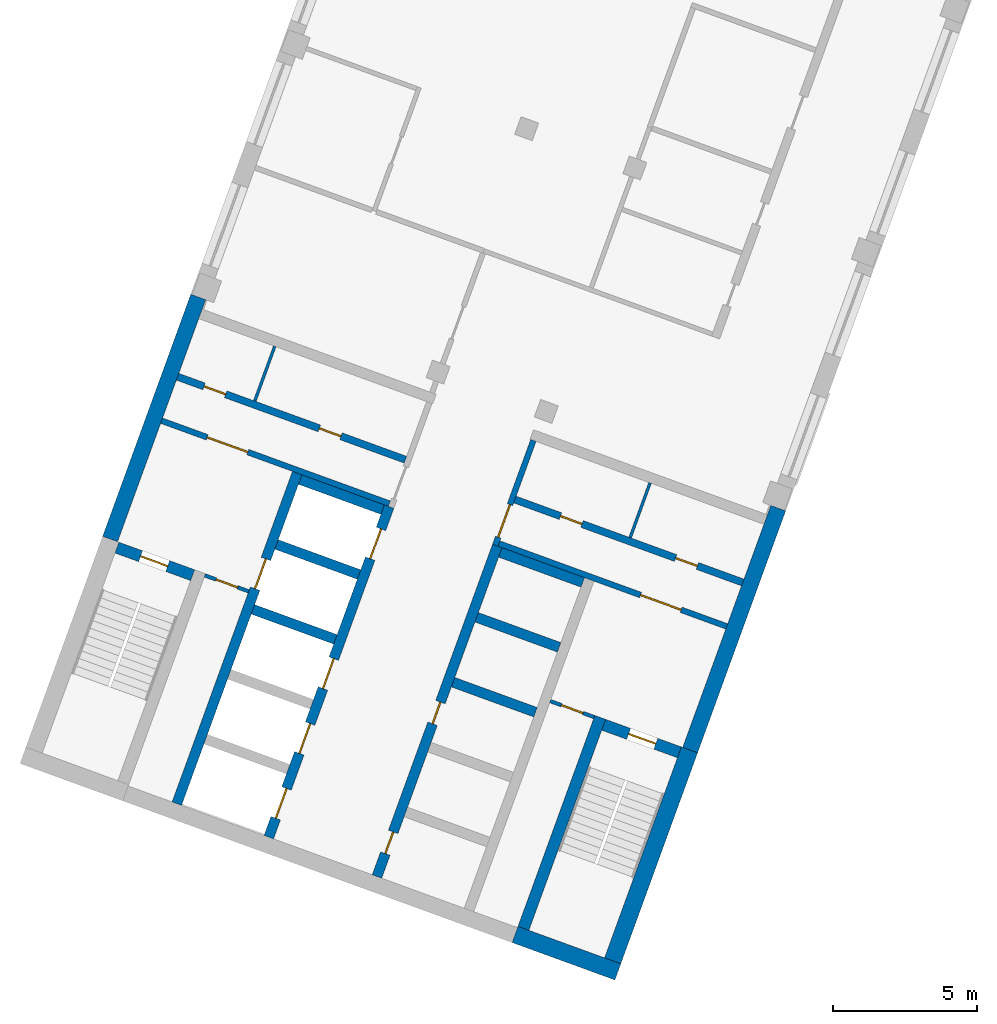
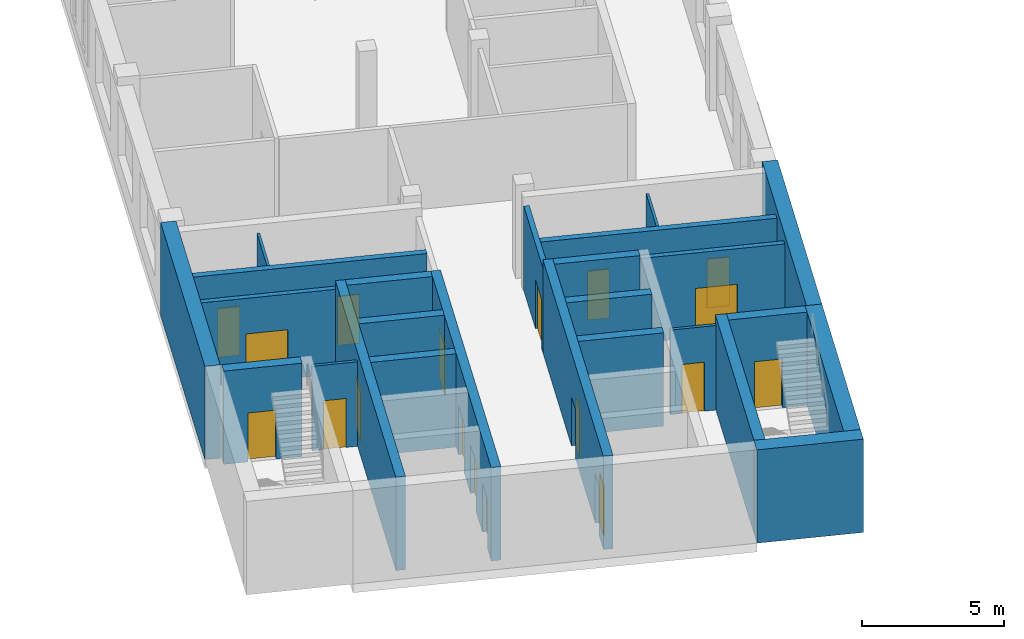
# One storey, part 2 of 9: 25 walls, 18 doors, 18 openings.
"""IFC4 building model written with IfcOpenShell, lengths in metres."""

import ifcopenshell
import ifcopenshell.guid

model = None  # the IFC model being written
_history = None  # IfcOwnerHistory: only IFC2X3 demands one
_inside = {}  # id of a spatial element -> (the spatial element, [elements in it])
_under = {}  # id of a project, library or spatial element -> (it, [spatial elements below it])
_declared = {}  # id of a project -> (the project, [libraries it declares])
_typed = {}  # id of a type object -> (the type object, [elements of that type])
_made_of = {}  # id of a material, layer set ... -> (it, [elements and type objects made of it])


def new_model(schema):
    """Start an empty IFC model of exactly this schema.

    Asked for "IFC4X3", IfcOpenShell would pick the latest addendum, in which some entities
    have other attributes; the version numbers below select the first issue.
    IFC2X3 requires an IfcOwnerHistory on every rooted entity: one is made here for all.
    """
    global model, _history
    if schema == "IFC4X3":
        model = ifcopenshell.file(schema_version=(4, 3, 0, 0))
    else:
        model = ifcopenshell.file(schema=schema)
    _inside.clear()
    _under.clear()
    _declared.clear()
    _typed.clear()
    _made_of.clear()
    _history = None
    if model.schema == "IFC2X3":
        org = make("IfcOrganization", Name="unknown")
        user = make(
            "IfcPersonAndOrganization",
            ThePerson=make("IfcPerson", FamilyName="unknown"),
            TheOrganization=org,
        )
        app = make(
            "IfcApplication",
            ApplicationDeveloper=org,
            Version="unknown",
            ApplicationFullName="unknown",
            ApplicationIdentifier="unknown",
        )
        _history = make(
            "IfcOwnerHistory",
            OwningUser=user,
            OwningApplication=app,
            ChangeAction="ADDED",
            CreationDate=0,
        )
    return model


def make(cls, **values):
    """One entity of the class cls with the attributes given. An attribute that is None is left unset."""
    return model.create_entity(
        cls, **{name: value for name, value in values.items() if value is not None}
    )


def rooted(cls, **values):
    """An entity with a GlobalId (a new one), such as an element, a storey or a relation."""
    return make(cls, GlobalId=ifcopenshell.guid.new(), OwnerHistory=_history, **values)


def si_unit(unit_type, name, prefix=None):
    """IfcSIUnit, for example si_unit("LENGTHUNIT", "METRE", prefix="MILLI")."""
    return make("IfcSIUnit", UnitType=unit_type, Prefix=prefix, Name=name)


def assignment(units):
    """IfcUnitAssignment: the units of a project."""
    return None if units is None else make("IfcUnitAssignment", Units=units)


def point(xyz):
    """IfcCartesianPoint."""
    return None if xyz is None else make("IfcCartesianPoint", Coordinates=xyz)


def direction(xyz):
    """IfcDirection."""
    return None if xyz is None else make("IfcDirection", DirectionRatios=xyz)


def frame(location, z_axis=None, x_axis=None):
    """IfcAxis2Placement3D, a coordinate frame: its origin and axes. An axis left out is left unset."""
    return make(
        "IfcAxis2Placement3D",
        Location=point(location),
        Axis=direction(z_axis),
        RefDirection=direction(x_axis),
    )


def frame_2d(location, x_axis=None):
    """IfcAxis2Placement2D, a coordinate frame in the plane: its origin and x axis."""
    return make(
        "IfcAxis2Placement2D", Location=point(location), RefDirection=direction(x_axis)
    )


def origin():
    """The frame at (0, 0, 0) with its axes left unset."""
    return frame((0.0, 0.0, 0.0))


def place(relative_to, where):
    """IfcLocalPlacement: puts the frame where relative to a parent placement (None: the world)."""
    return make(
        "IfcLocalPlacement", PlacementRelTo=relative_to, RelativePlacement=where
    )


def context(
    kind, dimensions, precision=None, world=None, true_north=None, identifier=None
):
    """IfcGeometricRepresentationContext, for example the 3D "Model" context."""
    return make(
        "IfcGeometricRepresentationContext",
        ContextIdentifier=identifier,
        ContextType=kind,
        CoordinateSpaceDimension=dimensions,
        Precision=precision,
        WorldCoordinateSystem=world,
        TrueNorth=true_north,
    )


def subcontext(parent, identifier, kind, view, scale=None):
    """IfcGeometricRepresentationSubContext, for example "Body" below "Model"."""
    return make(
        "IfcGeometricRepresentationSubContext",
        ContextIdentifier=identifier,
        ContextType=kind,
        ParentContext=parent,
        TargetScale=scale,
        TargetView=view,
    )


def project(units=None, contexts=None):
    """IfcProject with its units and contexts."""
    return rooted(
        "IfcProject",
        Name="project",
        RepresentationContexts=contexts,
        UnitsInContext=assignment(units),
    )


def spatial(cls, under=None, at=None, **own):
    """A site, building, storey or space (cls), placed at a placement, below another one or the project."""
    s = rooted(cls, ObjectPlacement=at, **own)
    if under is not None:
        _under.setdefault(under.id(), (under, []))[1].append(s)
    return s


def profile(cls, at=None, kind="AREA", **sizes):
    """A parametric profile (cls). Its sizes go by their IFC names, for example OverallWidth=200.0."""
    return make(cls, ProfileType=kind, Position=at, **sizes)


def rectangle(**sizes):
    """IfcRectangleProfileDef."""
    return profile("IfcRectangleProfileDef", **sizes)


def extrude(swept, where, along, depth):
    """IfcExtrudedAreaSolid: the profile swept, set in the frame where, extruded along a direction by depth."""
    return make(
        "IfcExtrudedAreaSolid",
        SweptArea=swept,
        Position=where,
        ExtrudedDirection=direction(along),
        Depth=depth,
    )


def shape(context_of_items, identifier, shape_type, items):
    """IfcShapeRepresentation: the items that make up one representation, for example the "Body"."""
    return make(
        "IfcShapeRepresentation",
        ContextOfItems=context_of_items,
        RepresentationIdentifier=identifier,
        RepresentationType=shape_type,
        Items=items,
    )


def material(Name=None, Category=None):
    """IfcMaterial."""
    return make("IfcMaterial", Name=Name, Category=Category)


def layer(
    of_material, thickness, ventilated=None, Name=None, Category=None, Priority=None
):
    """IfcMaterialLayer: one layer of a wall or slab, of a material (None: an air gap)."""
    return make(
        "IfcMaterialLayer",
        Material=of_material,
        LayerThickness=thickness,
        IsVentilated=ventilated,
        Name=Name,
        Category=Category,
        Priority=Priority,
    )


def layer_set(layers, Name=None):
    """IfcMaterialLayerSet."""
    return make("IfcMaterialLayerSet", MaterialLayers=layers, LayerSetName=Name)


def made_of(thing, what):
    """Note that an element or type object is made of a material, layer set ...; save() writes the relation."""
    if what is not None:
        _made_of.setdefault(what.id(), (what, []))[1].append(thing)
    return thing


def type_object(cls, material=None, **own):
    """A type object (cls), such as IfcWallType, which elements share."""
    return made_of(rooted(cls, **own), material)


def element(
    cls,
    number,
    at=None,
    inside=None,
    cuts=None,
    type_object=None,
    material=None,
    context=None,
    identifier="Body",
    shape_type=None,
    held_by="IfcProductDefinitionShape",
    body=None,
    shapes=None,
    **own,
):
    """One element of the class cls, such as IfcWall. Its Tag is "e" and its number.

    at: its placement. inside: the storey or other place that contains it. cuts: it is an
    opening in that element (IfcRelVoidsElement). A single representation is given by context,
    identifier, shape_type and body (its items); several are given by shapes. held_by: the class
    of the entity that holds the representations. save() writes the other relations.
    """
    e = rooted(cls, Tag="e%d" % number, ObjectPlacement=at, **own)
    if body is not None:
        shapes = [shape(context, identifier, shape_type, body)]
    if shapes is not None:
        e.Representation = make(held_by, Representations=shapes)
    if inside is not None:
        _inside.setdefault(inside.id(), (inside, []))[1].append(e)
    if cuts is not None:
        rooted(
            "IfcRelVoidsElement", RelatingBuildingElement=cuts, RelatedOpeningElement=e
        )
    if type_object is not None:
        _typed.setdefault(type_object.id(), (type_object, []))[1].append(e)
    return made_of(e, material)


def fill(opening, filler):
    """IfcRelFillsElement: the door or window that sits in an opening."""
    return rooted(
        "IfcRelFillsElement",
        RelatingOpeningElement=opening,
        RelatedBuildingElement=filler,
    )


def aggregate(whole, parts):
    """IfcRelAggregates: a whole, such as a stair, and the parts it consists of."""
    return rooted("IfcRelAggregates", RelatingObject=whole, RelatedObjects=parts)


def save(model, path):
    """Write the relations noted so far, then the file.

    IfcRelAggregates (storeys below a building ...), IfcRelContainedInSpatialStructure (elements
    in a storey), IfcRelDefinesByType, IfcRelAssociatesMaterial and IfcRelDeclares: one each for
    every whole, place, type object, material and project.
    """
    for whole, parts in _under.values():
        aggregate(whole, parts)
    for where, things in _inside.values():
        rooted(
            "IfcRelContainedInSpatialStructure",
            RelatedElements=things,
            RelatingStructure=where,
        )
    for kind, things in _typed.values():
        rooted("IfcRelDefinesByType", RelatedObjects=things, RelatingType=kind)
    for what, things in _made_of.values():
        rooted("IfcRelAssociatesMaterial", RelatedObjects=things, RelatingMaterial=what)
    for by, libraries in _declared.values():
        rooted("IfcRelDeclares", RelatingContext=by, RelatedDefinitions=libraries)
    model.write(path)


model = new_model("IFC4")

# Units and contexts
model_context = context("Model", 3, precision=1e-05, world=origin(), true_north=direction((0.0, 1.0)))
body_context = subcontext(model_context, "Body", "Model", "MODEL_VIEW")
ifc_project = project(units=[si_unit("LENGTHUNIT", "METRE"), si_unit("AREAUNIT", "SQUARE_METRE"), si_unit("VOLUMEUNIT", "CUBIC_METRE"), si_unit("PLANEANGLEUNIT", "RADIAN"), si_unit("MASSUNIT", "GRAM", prefix="KILO")], contexts=[model_context])

# Site, building, storey
site_placement = place(None, origin())
site = spatial("IfcSite", under=ifc_project, at=site_placement, CompositionType="ELEMENT")
building_placement = place(site_placement, origin())
building = spatial("IfcBuilding", under=site, at=building_placement, Name="Skarvind Civic Tower", CompositionType="ELEMENT")
storey_placement = place(building_placement, frame((0.0, 0.0, 158.5)))
storey = spatial("IfcBuildingStorey", under=building, at=storey_placement, Name="L37", CompositionType="ELEMENT", Elevation=158.5)

# Wall, opening, door
ifc_material_1 = material(Name="Fire-rated masonry partition", Category="masonry")
ifc_layer_1 = layer(ifc_material_1, 0.199951171875)
ifc_layer_set_1 = layer_set([ifc_layer_1], Name="Core enclosure wall 200")
wall_type_1 = type_object("IfcWallType", Name="Core enclosure wall 200", PredefinedType="PARTITIONING", material=ifc_layer_set_1)
wall_1_placement = place(storey_placement, frame((23.482666015625, 96.68798828125, 0.0), z_axis=(0.0, 0.0, 1.0), x_axis=(0.939691007314, -0.342024576271, 0.0)))
wall_1 = element("IfcWall", 1, at=wall_1_placement, inside=storey, type_object=wall_type_1, Name="Core wall C2", PredefinedType="PARTITIONING", context=body_context, shape_type="SweptSolid", body=[
    extrude(rectangle(XDim=8.425048828125, YDim=0.199951171875, at=frame_2d((4.21240234375, 0.0))), origin(), (0.0, 0.0, 1.0), 3.625),
])
opening_1_placement = place(wall_1_placement, frame((1.6875, 0.0, 0.0)))
opening_1 = element("IfcOpeningElement", 2, at=opening_1_placement, cuts=wall_1, Name="Opening D-L37-C2-08", PredefinedType="OPENING", context=body_context, shape_type="SweptSolid", body=[
    extrude(rectangle(XDim=1.5, YDim=2.10009765625, at=frame_2d((0.75, 1.050048828125))), frame((0.0, 0.10986328125, 0.0), z_axis=(0.0, -1.0, 0.0), x_axis=(1.0, 0.0, 0.0)), (0.0, 0.0, 1.0), 0.219970703125),
])
ifc_material_2 = material(Name="Fire-rated steel door", Category="steel")
door_type_1 = type_object("IfcDoorType", Name="Fire door 1500", OperationType="NOTDEFINED", PredefinedType="DOOR", material=ifc_material_2)
door_1_placement = place(opening_1_placement, origin())
door_1 = element("IfcDoor", 3, at=door_1_placement, inside=storey, type_object=door_type_1, Name="Fire door", OperationType="DOUBLE_DOOR_SINGLE_SWING", OverallHeight=2.10009765625, OverallWidth=1.5, PredefinedType="DOOR", context=body_context, shape_type="SweptSolid", body=[
    extrude(rectangle(XDim=1.5, YDim=2.10009765625, at=frame_2d((0.75, 1.050048828125))), frame((0.0, 0.02490234375, 0.0), z_axis=(0.0, -1.0, 0.0), x_axis=(1.0, 0.0, 0.0)), (0.0, 0.0, 1.0), 0.050048828125),
])
fill(opening_1, door_1)

wall_2_placement = place(storey_placement, frame((36.402587890625, 96.0029296875, 0.0), z_axis=(0.0, 0.0, 1.0), x_axis=(-0.342041503764, -0.939684845947, 0.0)))
wall_2 = element("IfcWall", 4, at=wall_2_placement, inside=storey, type_object=wall_type_1, Name="Core wall C2", PredefinedType="PARTITIONING", context=body_context, shape_type="SweptSolid", body=[
    extrude(rectangle(XDim=3.875, YDim=0.199951171875, at=frame_2d((1.9375, 0.0))), origin(), (0.0, 0.0, 1.0), 3.625),
])
opening_2_placement = place(wall_2_placement, frame((2.375, 0.0, 0.0)))
opening_2 = element("IfcOpeningElement", 5, at=opening_2_placement, cuts=wall_2, Name="Opening D-L37-C2-13", PredefinedType="OPENING", context=body_context, shape_type="SweptSolid", body=[
    extrude(rectangle(XDim=1.199951171875, YDim=2.10009765625, at=frame_2d((0.60009765625, 1.050048828125))), frame((0.0, 0.10986328125, 0.0), z_axis=(0.0, -1.0, 0.0), x_axis=(1.0, 0.0, 0.0)), (0.0, 0.0, 1.0), 0.219970703125),
])
door_type_2 = type_object("IfcDoorType", Name="Core lobby door 1200", OperationType="NOTDEFINED", PredefinedType="DOOR", material=ifc_material_2)
door_2_placement = place(opening_2_placement, origin())
door_2 = element("IfcDoor", 6, at=door_2_placement, inside=storey, type_object=door_type_2, Name="Fire door", OperationType="DOUBLE_DOOR_SINGLE_SWING", OverallHeight=2.10009765625, OverallWidth=1.199951171875, PredefinedType="DOOR", context=body_context, shape_type="SweptSolid", body=[
    extrude(rectangle(XDim=1.199951171875, YDim=2.10009765625, at=frame_2d((0.60009765625, 1.050048828125))), frame((0.0, 0.02490234375, 0.0), z_axis=(0.0, -1.0, 0.0), x_axis=(1.0, 0.0, 0.0)), (0.0, 0.0, 1.0), 0.050048828125),
])
fill(opening_2, door_2)

wall_3_placement = place(storey_placement, frame((35.205322265625, 92.42138671875, 0.0), z_axis=(0.0, 0.0, 1.0), x_axis=(0.939691007314, -0.342024576271, 0.0)))
wall_3 = element("IfcWall", 7, at=wall_3_placement, inside=storey, type_object=wall_type_1, Name="Core wall C2", PredefinedType="PARTITIONING", context=body_context, shape_type="SweptSolid", body=[
    extrude(rectangle(XDim=8.425048828125, YDim=0.199951171875, at=frame_2d((4.21240234375, 0.0))), origin(), (0.0, 0.0, 1.0), 3.625),
])
opening_3_placement = place(wall_3_placement, frame((5.237548828125, 0.0, 0.0)))
opening_3 = element("IfcOpeningElement", 8, at=opening_3_placement, cuts=wall_3, Name="Opening D-L37-C2-14", PredefinedType="OPENING", context=body_context, shape_type="SweptSolid", body=[
    extrude(rectangle(XDim=1.5, YDim=2.10009765625, at=frame_2d((0.75, 1.050048828125))), frame((0.0, 0.10986328125, 0.0), z_axis=(0.0, -1.0, 0.0), x_axis=(1.0, 0.0, 0.0)), (0.0, 0.0, 1.0), 0.219970703125),
])
door_3_placement = place(opening_3_placement, origin())
door_3 = element("IfcDoor", 9, at=door_3_placement, inside=storey, type_object=door_type_1, Name="Fire door", OperationType="DOUBLE_DOOR_SINGLE_SWING", OverallHeight=2.10009765625, OverallWidth=1.5, PredefinedType="DOOR", context=body_context, shape_type="SweptSolid", body=[
    extrude(rectangle(XDim=1.5, YDim=2.10009765625, at=frame_2d((0.75, 1.050048828125))), frame((0.0, 0.02490234375, 0.0), z_axis=(0.0, -1.0, 0.0), x_axis=(1.0, 0.0, 0.0)), (0.0, 0.0, 1.0), 0.050048828125),
])
fill(opening_3, door_3)

# Walls
ifc_material_3 = material(Name="Fire-rated plasterboard partition")
ifc_layer_2 = layer(ifc_material_3, 0.10009765625)
ifc_layer_set_2 = layer_set([ifc_layer_2], Name="Core partition wall 100")
wall_type_2 = type_object("IfcWallType", Name="Core partition wall 100", PredefinedType="PARTITIONING", material=ifc_layer_set_2)
wall_4_placement = place(storey_placement, frame((26.7216796875, 97.371337890625, 0.0), z_axis=(0.0, 0.0, 1.0), x_axis=(0.342004391282, 0.939698353911, 0.0)))
element("IfcWall", 10, at=wall_4_placement, inside=storey, type_object=wall_type_2, Name="Core wall C2", PredefinedType="PARTITIONING", context=body_context, shape_type="SweptSolid", body=[
    extrude(rectangle(XDim=2.025146484375, YDim=0.10009765625, at=frame_2d((1.0126953125, 0.0))), origin(), (0.0, 0.0, 1.0), 3.625),
])
wall_5_placement = place(storey_placement, frame((40.457275390625, 94.527099609375, 0.0), z_axis=(0.0, 0.0, 1.0), x_axis=(-0.342043138314, -0.939684250976, 0.0)))
element("IfcWall", 11, at=wall_5_placement, inside=storey, type_object=wall_type_2, Name="Core wall C2", PredefinedType="PARTITIONING", context=body_context, shape_type="SweptSolid", body=[
    extrude(rectangle(XDim=2.02490234375, YDim=0.10009765625, at=frame_2d((1.012451171875, 0.0))), origin(), (0.0, 0.0, 1.0), 3.625),
])

# Wall, openings, doors
ifc_material_4 = material(Name="Concrete C60", Category="concrete")
ifc_layer_3 = layer(ifc_material_4, 0.35009765625)
ifc_layer_set_3 = layer_set([ifc_layer_3], Name="Core wall 350 C60")
wall_type_3 = type_object("IfcWallType", Name="Core wall 350 C60", PredefinedType="SHEAR", material=ifc_layer_set_3)
wall_6_placement = place(storey_placement, frame((30.966552734375, 80.84814453125, 0.0), z_axis=(0.0, 0.0, 1.0), x_axis=(0.34201563943, 0.939694260058, 0.0)))
wall_6 = element("IfcWall", 12, at=wall_6_placement, inside=storey, type_object=wall_type_3, Name="Core wall C2 south lift row front L37", PredefinedType="SHEAR", context=body_context, shape_type="SweptSolid", body=[
    extrude(rectangle(XDim=12.22509765625, YDim=0.35009765625, at=frame_2d((6.112548828125, 0.0))), origin(), (0.0, 0.0, 1.0), 4.0),
])
opening_4_placement = place(wall_6_placement, frame((0.85009765625, 0.0, 0.0)))
opening_4 = element("IfcOpeningElement", 13, at=opening_4_placement, cuts=wall_6, Name="Opening D-L37-C2-05", PredefinedType="OPENING", context=body_context, shape_type="SweptSolid", body=[
    extrude(rectangle(XDim=0.800048828125, YDim=2.10009765625, at=frame_2d((0.39990234375, 1.050048828125))), frame((0.0, 0.18505859375, 0.0), z_axis=(0.0, -1.0, 0.0), x_axis=(1.0, 0.0, 0.0)), (0.0, 0.0, 1.0), 0.3701171875),
])
opening_5_placement = place(wall_6_placement, frame((5.64990234375, 0.0, 0.0)))
opening_5 = element("IfcOpeningElement", 14, at=opening_5_placement, cuts=wall_6, Name="Opening D-L37-C2-06", PredefinedType="OPENING", context=body_context, shape_type="SweptSolid", body=[
    extrude(rectangle(XDim=0.800048828125, YDim=2.10009765625, at=frame_2d((0.39990234375, 1.050048828125))), frame((0.0, 0.18505859375, 0.0), z_axis=(0.0, -1.0, 0.0), x_axis=(1.0, 0.0, 0.0)), (0.0, 0.0, 1.0), 0.3701171875),
])
door_type_3 = type_object("IfcDoorType", Name="Core riser door 800", OperationType="NOTDEFINED", PredefinedType="DOOR", material=ifc_material_2)
door_4_placement = place(opening_4_placement, origin())
door_4 = element("IfcDoor", 15, at=door_4_placement, inside=storey, type_object=door_type_3, Name="Riser door", OperationType="SINGLE_SWING_LEFT", OverallHeight=2.10009765625, OverallWidth=0.800048828125, PredefinedType="DOOR", context=body_context, shape_type="SweptSolid", body=[
    extrude(rectangle(XDim=0.800048828125, YDim=2.10009765625, at=frame_2d((0.39990234375, 1.050048828125))), frame((0.0, 0.02490234375, 0.0), z_axis=(0.0, -1.0, 0.0), x_axis=(1.0, 0.0, 0.0)), (0.0, 0.0, 1.0), 0.050048828125),
])
fill(opening_4, door_4)
door_5_placement = place(opening_5_placement, origin())
door_5 = element("IfcDoor", 16, at=door_5_placement, inside=storey, type_object=door_type_3, Name="Riser door", OperationType="SINGLE_SWING_RIGHT", OverallHeight=2.10009765625, OverallWidth=0.800048828125, PredefinedType="DOOR", context=body_context, shape_type="SweptSolid", body=[
    extrude(rectangle(XDim=0.800048828125, YDim=2.10009765625, at=frame_2d((0.39990234375, 1.050048828125))), frame((0.0, 0.02490234375, 0.0), z_axis=(0.0, -1.0, 0.0), x_axis=(1.0, 0.0, 0.0)), (0.0, 0.0, 1.0), 0.050048828125),
])
fill(opening_5, door_5)

# Walls
for number, where, z_axis, x_axis, name in (
    (17, (36.4765625, 86.557861328125, 0.0), (0.0, 0.0, 1.0), (-0.939683528043, 0.3420451244, 0.0), "Core wall C2 south lift row division 3 L37"),
    (18, (37.297607421875, 88.813232421875, 0.0), (0.0, 0.0, 1.0), (-0.939692892192, 0.342019397644, 0.0), "Core wall C2 south lift row division 4 L37"),
    (19, (38.118408203125, 91.068359375, 0.0), (0.0, 0.0, 1.0), (-0.939692892192, 0.342019397644, 0.0), "Core wall C2 south lift row division 5 L37"),
):
    element("IfcWall", number, at=place(storey_placement, frame(where, z_axis=z_axis, x_axis=x_axis)), inside=storey, type_object=wall_type_3, Name=name, PredefinedType="SHEAR", context=body_context, shape_type="SweptSolid", body=[
        extrude(rectangle(XDim=3.050048828125, YDim=0.35009765625, at=frame_2d((1.52490234375, 0.0))), origin(), (0.0, 0.0, 1.0), 4.0),
    ])

# Wall, openings, doors
wall_7_placement = place(storey_placement, frame((27.207763671875, 82.21630859375, 0.0), z_axis=(0.0, 0.0, 1.0), x_axis=(0.34201563943, 0.939694260058, 0.0)))
wall_7 = element("IfcWall", 20, at=wall_7_placement, inside=storey, type_object=wall_type_3, Name="Core wall C2 north lift row front L37", PredefinedType="SHEAR", context=body_context, shape_type="SweptSolid", body=[
    extrude(rectangle(XDim=12.22509765625, YDim=0.35009765625, at=frame_2d((6.112548828125, 0.0))), origin(), (0.0, 0.0, 1.0), 4.0),
])
opening_6_placement = place(wall_7_placement, frame((0.699951171875, 0.0, 0.0)))
opening_6 = element("IfcOpeningElement", 21, at=opening_6_placement, cuts=wall_7, Name="Opening LD39201", PredefinedType="OPENING", context=body_context, shape_type="SweptSolid", body=[
    extrude(rectangle(XDim=1.10009765625, YDim=2.10009765625, at=frame_2d((0.550048828125, 1.050048828125))), frame((0.0, 0.18505859375, 0.0), z_axis=(0.0, -1.0, 0.0), x_axis=(1.0, 0.0, 0.0)), (0.0, 0.0, 1.0), 0.3701171875),
])
opening_7_placement = place(wall_7_placement, frame((3.10009765625, 0.0, 0.0)))
opening_7 = element("IfcOpeningElement", 22, at=opening_7_placement, cuts=wall_7, Name="Opening LD39202", PredefinedType="OPENING", context=body_context, shape_type="SweptSolid", body=[
    extrude(rectangle(XDim=1.10009765625, YDim=2.10009765625, at=frame_2d((0.550048828125, 1.050048828125))), frame((0.0, 0.18505859375, 0.0), z_axis=(0.0, -1.0, 0.0), x_axis=(1.0, 0.0, 0.0)), (0.0, 0.0, 1.0), 0.3701171875),
])
opening_8_placement = place(wall_7_placement, frame((5.5, 0.0, 0.0)))
opening_8 = element("IfcOpeningElement", 23, at=opening_8_placement, cuts=wall_7, Name="Opening LD39203", PredefinedType="OPENING", context=body_context, shape_type="SweptSolid", body=[
    extrude(rectangle(XDim=1.10009765625, YDim=2.10009765625, at=frame_2d((0.550048828125, 1.050048828125))), frame((0.0, 0.18505859375, 0.0), z_axis=(0.0, -1.0, 0.0), x_axis=(1.0, 0.0, 0.0)), (0.0, 0.0, 1.0), 0.3701171875),
])
opening_9_placement = place(wall_7_placement, frame((10.300048828125, 0.0, 0.0)))
opening_9 = element("IfcOpeningElement", 24, at=opening_9_placement, cuts=wall_7, Name="Opening LD39205", PredefinedType="OPENING", context=body_context, shape_type="SweptSolid", body=[
    extrude(rectangle(XDim=1.10009765625, YDim=2.10009765625, at=frame_2d((0.550048828125, 1.050048828125))), frame((0.0, 0.18505859375, 0.0), z_axis=(0.0, -1.0, 0.0), x_axis=(1.0, 0.0, 0.0)), (0.0, 0.0, 1.0), 0.3701171875),
])
ifc_material_5 = material(Name="Stainless steel landing door", Category="steel")
door_type_4 = type_object("IfcDoorType", Name="Lift landing door 1100", OperationType="DOUBLE_DOOR_SLIDING", PredefinedType="DOOR", material=ifc_material_5)
door_6_placement = place(opening_6_placement, origin())
door_6 = element("IfcDoor", 25, at=door_6_placement, inside=storey, type_object=door_type_4, Name="Lift landing door", OperationType="DOUBLE_DOOR_SLIDING", OverallHeight=2.10009765625, OverallWidth=1.10009765625, PredefinedType="DOOR", context=body_context, shape_type="SweptSolid", body=[
    extrude(rectangle(XDim=1.10009765625, YDim=2.10009765625, at=frame_2d((0.550048828125, 1.050048828125))), frame((0.0, 0.02490234375, 0.0), z_axis=(0.0, -1.0, 0.0), x_axis=(1.0, 0.0, 0.0)), (0.0, 0.0, 1.0), 0.050048828125),
])
fill(opening_6, door_6)
door_7_placement = place(opening_7_placement, origin())
door_7 = element("IfcDoor", 26, at=door_7_placement, inside=storey, type_object=door_type_4, Name="Lift landing door", OperationType="DOUBLE_DOOR_SLIDING", OverallHeight=2.10009765625, OverallWidth=1.10009765625, PredefinedType="DOOR", context=body_context, shape_type="SweptSolid", body=[
    extrude(rectangle(XDim=1.10009765625, YDim=2.10009765625, at=frame_2d((0.550048828125, 1.050048828125))), frame((0.0, 0.02490234375, 0.0), z_axis=(0.0, -1.0, 0.0), x_axis=(1.0, 0.0, 0.0)), (0.0, 0.0, 1.0), 0.050048828125),
])
fill(opening_7, door_7)
door_8_placement = place(opening_8_placement, origin())
door_8 = element("IfcDoor", 27, at=door_8_placement, inside=storey, type_object=door_type_4, Name="Lift landing door", OperationType="DOUBLE_DOOR_SLIDING", OverallHeight=2.10009765625, OverallWidth=1.10009765625, PredefinedType="DOOR", context=body_context, shape_type="SweptSolid", body=[
    extrude(rectangle(XDim=1.10009765625, YDim=2.10009765625, at=frame_2d((0.550048828125, 1.050048828125))), frame((0.0, 0.02490234375, 0.0), z_axis=(0.0, -1.0, 0.0), x_axis=(1.0, 0.0, 0.0)), (0.0, 0.0, 1.0), 0.050048828125),
])
fill(opening_8, door_8)
door_9_placement = place(opening_9_placement, origin())
door_9 = element("IfcDoor", 28, at=door_9_placement, inside=storey, type_object=door_type_4, Name="Lift landing door", OperationType="DOUBLE_DOOR_SLIDING", OverallHeight=2.10009765625, OverallWidth=1.10009765625, PredefinedType="DOOR", context=body_context, shape_type="SweptSolid", body=[
    extrude(rectangle(XDim=1.10009765625, YDim=2.10009765625, at=frame_2d((0.550048828125, 1.050048828125))), frame((0.0, 0.02490234375, 0.0), z_axis=(0.0, -1.0, 0.0), x_axis=(1.0, 0.0, 0.0)), (0.0, 0.0, 1.0), 0.050048828125),
])
fill(opening_9, door_9)

# Wall, opening, door
wall_8_placement = place(storey_placement, frame((24.0126953125, 83.379150390625, 0.0), z_axis=(0.0, 0.0, 1.0), x_axis=(0.34201563943, 0.939694260058, 0.0)))
wall_8 = element("IfcWall", 29, at=wall_8_placement, inside=storey, type_object=wall_type_3, Name="Core wall C2 north lift row back L37", PredefinedType="SHEAR", context=body_context, shape_type="SweptSolid", body=[
    extrude(rectangle(XDim=12.22509765625, YDim=0.35009765625, at=frame_2d((6.112548828125, 0.0))), origin(), (0.0, 0.0, 1.0), 4.0),
])
opening_10_placement = place(wall_8_placement, frame((7.949951171875, 0.0, 0.0)))
opening_10 = element("IfcOpeningElement", 30, at=opening_10_placement, cuts=wall_8, Name="Opening LD39204", PredefinedType="OPENING", context=body_context, shape_type="SweptSolid", body=[
    extrude(rectangle(XDim=1.10009765625, YDim=2.10009765625, at=frame_2d((0.550048828125, 1.050048828125))), frame((0.0, 0.18505859375, 0.0), z_axis=(0.0, -1.0, 0.0), x_axis=(1.0, 0.0, 0.0)), (0.0, 0.0, 1.0), 0.3701171875),
])
door_10_placement = place(opening_10_placement, origin())
door_10 = element("IfcDoor", 31, at=door_10_placement, inside=storey, type_object=door_type_4, Name="Lift landing door", OperationType="DOUBLE_DOOR_SLIDING", OverallHeight=2.10009765625, OverallWidth=1.10009765625, PredefinedType="DOOR", context=body_context, shape_type="SweptSolid", body=[
    extrude(rectangle(XDim=1.10009765625, YDim=2.10009765625, at=frame_2d((0.550048828125, 1.050048828125))), frame((0.0, 0.02490234375, 0.0), z_axis=(0.0, -1.0, 0.0), x_axis=(1.0, 0.0, 0.0)), (0.0, 0.0, 1.0), 0.050048828125),
])
fill(opening_10, door_10)

# Walls
wall_9_placement = place(storey_placement, frame((29.52294921875, 89.0888671875, 0.0), z_axis=(0.0, 0.0, 1.0), x_axis=(-0.939692892192, 0.342019397644, 0.0)))
element("IfcWall", 32, at=wall_9_placement, inside=storey, type_object=wall_type_3, Name="Core wall C2 north lift row division 3 L37", PredefinedType="SHEAR", context=body_context, shape_type="SweptSolid", body=[
    extrude(rectangle(XDim=3.050048828125, YDim=0.35009765625, at=frame_2d((1.52490234375, 0.0))), origin(), (0.0, 0.0, 1.0), 4.0),
])
wall_10_placement = place(storey_placement, frame((30.34375, 91.34423828125, 0.0), z_axis=(0.0, 0.0, 1.0), x_axis=(-0.939709254651, 0.341974438698, 0.0)))
element("IfcWall", 33, at=wall_10_placement, inside=storey, type_object=wall_type_3, Name="Core wall C2 north lift row division 4 L37", PredefinedType="SHEAR", context=body_context, shape_type="SweptSolid", body=[
    extrude(rectangle(XDim=3.0498046875, YDim=0.35009765625, at=frame_2d((1.52490234375, 0.0))), origin(), (0.0, 0.0, 1.0), 4.0),
])
wall_11_placement = place(storey_placement, frame((31.16455078125, 93.599365234375, 0.0), z_axis=(0.0, 0.0, 1.0), x_axis=(-0.939683528043, 0.3420451244, 0.0)))
element("IfcWall", 34, at=wall_11_placement, inside=storey, type_object=wall_type_3, Name="Core wall C2 north lift row division 5 L37", PredefinedType="SHEAR", context=body_context, shape_type="SweptSolid", body=[
    extrude(rectangle(XDim=3.050048828125, YDim=0.35009765625, at=frame_2d((1.52490234375, 0.0))), origin(), (0.0, 0.0, 1.0), 4.0),
])
ifc_layer_4 = layer(ifc_material_4, 0.39990234375)
ifc_layer_set_4 = layer_set([ifc_layer_4], Name="Core wall 400 C60")
wall_type_4 = type_object("IfcWallType", Name="Core wall 400 C60", PredefinedType="SHEAR", material=ifc_layer_set_4)
wall_12_placement = place(storey_placement, frame((36.057861328125, 79.04833984375, 0.0), z_axis=(0.0, 0.0, 1.0), x_axis=(0.342016982193, 0.939693771338, 0.0)))
element("IfcWall", 35, at=wall_12_placement, inside=storey, type_object=wall_type_4, Name="Core wall C2 south stair inner L37", PredefinedType="SHEAR", context=body_context, shape_type="SweptSolid", body=[
    extrude(rectangle(XDim=7.800048828125, YDim=0.39990234375, at=frame_2d((3.89990234375, 0.0))), origin(), (0.0, 0.0, 1.0), 4.0),
])

# Wall, opening, door
wall_13_placement = place(storey_placement, frame((41.476318359375, 85.163818359375, 0.0), z_axis=(0.0, 0.0, 1.0), x_axis=(-0.939678810556, 0.342058084236, 0.0)))
wall_13 = element("IfcWall", 36, at=wall_13_placement, inside=storey, type_object=wall_type_4, Name="Core wall C2 south stair end L37", PredefinedType="SHEAR", context=body_context, shape_type="SweptSolid", body=[
    extrude(rectangle(XDim=2.800048828125, YDim=0.39990234375, at=frame_2d((1.39990234375, 0.0))), origin(), (0.0, 0.0, 1.0), 4.0),
])
opening_11_placement = place(wall_13_placement, frame((0.875, 0.0, 0.0)))
opening_11 = element("IfcOpeningElement", 37, at=opening_11_placement, cuts=wall_13, Name="Opening D-L37-C2-15", PredefinedType="OPENING", context=body_context, shape_type="SweptSolid", body=[
    extrude(rectangle(XDim=1.0, YDim=2.10009765625, at=frame_2d((0.5, 1.050048828125))), frame((0.0, 0.2099609375, 0.0), z_axis=(0.0, -1.0, 0.0), x_axis=(1.0, 0.0, 0.0)), (0.0, 0.0, 1.0), 0.419921875),
])
door_type_5 = type_object("IfcDoorType", Name="Fire door 1000", OperationType="NOTDEFINED", PredefinedType="DOOR", material=ifc_material_2)
door_11_placement = place(opening_11_placement, origin())
door_11 = element("IfcDoor", 38, at=door_11_placement, inside=storey, type_object=door_type_5, Name="Fire door", OperationType="SINGLE_SWING_RIGHT", OverallHeight=2.10009765625, OverallWidth=1.0, PredefinedType="DOOR", context=body_context, shape_type="SweptSolid", body=[
    extrude(rectangle(XDim=1.0, YDim=2.10009765625, at=frame_2d((0.5, 1.050048828125))), frame((0.0, 0.02490234375, 0.0), z_axis=(0.0, -1.0, 0.0), x_axis=(1.0, 0.0, 0.0)), (0.0, 0.0, 1.0), 0.050048828125),
])
fill(opening_11, door_11)

wall_14_placement = place(storey_placement, frame((24.56201171875, 91.3203125, 0.0), z_axis=(0.0, 0.0, 1.0), x_axis=(-0.939717030584, 0.341953070509, 0.0)))
wall_14 = element("IfcWall", 39, at=wall_14_placement, inside=storey, type_object=wall_type_4, Name="Core wall C2 north stair end L37", PredefinedType="SHEAR", context=body_context, shape_type="SweptSolid", body=[
    extrude(rectangle(XDim=2.800048828125, YDim=0.39990234375, at=frame_2d((1.39990234375, 0.0))), origin(), (0.0, 0.0, 1.0), 4.0),
])
opening_12_placement = place(wall_14_placement, frame((0.925048828125, 0.0, 0.0)))
opening_12 = element("IfcOpeningElement", 40, at=opening_12_placement, cuts=wall_14, Name="Opening D-L37-C2-09", PredefinedType="OPENING", context=body_context, shape_type="SweptSolid", body=[
    extrude(rectangle(XDim=1.0, YDim=2.10009765625, at=frame_2d((0.5, 1.050048828125))), frame((0.0, 0.2099609375, 0.0), z_axis=(0.0, -1.0, 0.0), x_axis=(1.0, 0.0, 0.0)), (0.0, 0.0, 1.0), 0.419921875),
])
door_12_placement = place(opening_12_placement, origin())
door_12 = element("IfcDoor", 41, at=door_12_placement, inside=storey, type_object=door_type_5, Name="Fire door", OperationType="SINGLE_SWING_LEFT", OverallHeight=2.10009765625, OverallWidth=1.0, PredefinedType="DOOR", context=body_context, shape_type="SweptSolid", body=[
    extrude(rectangle(XDim=1.0, YDim=2.10009765625, at=frame_2d((0.5, 1.050048828125))), frame((0.0, 0.02490234375, 0.0), z_axis=(0.0, -1.0, 0.0), x_axis=(1.0, 0.0, 0.0)), (0.0, 0.0, 1.0), 0.050048828125),
])
fill(opening_12, door_12)

# Walls
ifc_layer_5 = layer(ifc_material_4, 0.550048828125)
ifc_layer_set_5 = layer_set([ifc_layer_5], Name="Core wall 550 C60")
wall_type_5 = type_object("IfcWallType", Name="Core wall 550 C60", PredefinedType="SHEAR", material=ifc_layer_set_5)
wall_15_placement = place(storey_placement, frame((41.85009765625, 85.24072265625, 0.0), z_axis=(0.0, 0.0, 1.0), x_axis=(0.34201902012, 0.939693029598, 0.0)))
element("IfcWall", 42, at=wall_15_placement, inside=storey, type_object=wall_type_5, Name="Core wall C2 south side L37", PredefinedType="SHEAR", context=body_context, shape_type="SweptSolid", body=[
    extrude(rectangle(XDim=8.949951171875, YDim=0.550048828125, at=frame_2d((4.47509765625, 0.0))), origin(), (0.0, 0.0, 1.0), 4.0),
])
wall_16_placement = place(storey_placement, frame((21.69384765625, 92.576904296875, 0.0), z_axis=(0.0, 0.0, 1.0), x_axis=(0.342010253184, 0.939696220444, 0.0)))
element("IfcWall", 43, at=wall_16_placement, inside=storey, type_object=wall_type_5, Name="Core wall C2 north side L37", PredefinedType="SHEAR", context=body_context, shape_type="SweptSolid", body=[
    extrude(rectangle(XDim=8.9501953125, YDim=0.550048828125, at=frame_2d((4.47509765625, 0.0))), origin(), (0.0, 0.0, 1.0), 4.0),
])
ifc_layer_6 = layer(ifc_material_4, 0.60009765625)
ifc_layer_set_6 = layer_set([ifc_layer_6], Name="Core wall 600 C60")
wall_type_6 = type_object("IfcWallType", Name="Core wall 600 C60", PredefinedType="SHEAR", material=ifc_layer_set_6)
wall_17_placement = place(storey_placement, frame((39.338134765625, 77.53515625, 0.0), z_axis=(0.0, 0.0, 1.0), x_axis=(-0.939701471648, 0.341995824804, 0.0)))
element("IfcWall", 44, at=wall_17_placement, inside=storey, type_object=wall_type_6, Name="Core wall C2 tip at the south stair L37", PredefinedType="SHEAR", context=body_context, shape_type="SweptSolid", body=[
    extrude(rectangle(XDim=3.800048828125, YDim=0.60009765625, at=frame_2d((1.89990234375, 0.0))), origin(), (0.0, 0.0, 1.0), 4.0),
])
wall_18_placement = place(storey_placement, frame((39.158935546875, 77.919677734375, 0.0), z_axis=(0.0, 0.0, 1.0), x_axis=(0.342016982193, 0.939693771338, 0.0)))
element("IfcWall", 45, at=wall_18_placement, inside=storey, type_object=wall_type_6, Name="Core wall C2 south side at the stair L37", PredefinedType="SHEAR", context=body_context, shape_type="SweptSolid", body=[
    extrude(rectangle(XDim=7.800048828125, YDim=0.60009765625, at=frame_2d((3.89990234375, 0.0))), origin(), (0.0, 0.0, 1.0), 4.0),
])

# Wall, opening, door
ifc_layer_7 = layer(ifc_material_1, 0.125)
ifc_layer_set_7 = layer_set([ifc_layer_7], Name="Riser wall 125")
wall_type_7 = type_object("IfcWallType", Name="Riser wall 125", PredefinedType="PARTITIONING", material=ifc_layer_set_7)
wall_19_placement = place(storey_placement, frame((24.98486328125, 91.3125, 0.0), z_axis=(0.0, 0.0, 1.0), x_axis=(0.939705651352, -0.341984340019, 0.0)))
wall_19 = element("IfcWall", 46, at=wall_19_placement, inside=storey, type_object=wall_type_7, Name="Core wall C2", PredefinedType="PARTITIONING", context=body_context, shape_type="SweptSolid", body=[
    extrude(rectangle(XDim=1.624755859375, YDim=0.125, at=frame_2d((0.8125, 0.0))), origin(), (0.0, 0.0, 1.0), 3.625),
])
opening_13_placement = place(wall_19_placement, frame((0.41259765625, 0.0, 0.0)))
opening_13 = element("IfcOpeningElement", 47, at=opening_13_placement, cuts=wall_19, Name="Opening D-L37-C2-10", PredefinedType="OPENING", context=body_context, shape_type="SweptSolid", body=[
    extrude(rectangle(XDim=0.800048828125, YDim=2.10009765625, at=frame_2d((0.39990234375, 1.050048828125))), frame((0.0, 0.072509765625, 0.0), z_axis=(0.0, -1.0, 0.0), x_axis=(1.0, 0.0, 0.0)), (0.0, 0.0, 1.0), 0.14501953125),
])
door_13_placement = place(opening_13_placement, origin())
door_13 = element("IfcDoor", 48, at=door_13_placement, inside=storey, type_object=door_type_3, Name="Riser door", OperationType="SINGLE_SWING_RIGHT", OverallHeight=2.10009765625, OverallWidth=0.800048828125, PredefinedType="DOOR", context=body_context, shape_type="SweptSolid", body=[
    extrude(rectangle(XDim=0.800048828125, YDim=2.10009765625, at=frame_2d((0.39990234375, 1.050048828125))), frame((0.0, 0.02490234375, 0.0), z_axis=(0.0, -1.0, 0.0), x_axis=(1.0, 0.0, 0.0)), (0.0, 0.0, 1.0), 0.050048828125),
])
fill(opening_13, door_13)

wall_20_placement = place(storey_placement, frame((36.989501953125, 86.943359375, 0.0), z_axis=(0.0, 0.0, 1.0), x_axis=(0.939657357267, -0.342117013511, 0.0)))
wall_20 = element("IfcWall", 49, at=wall_20_placement, inside=storey, type_object=wall_type_7, Name="Core wall C2", PredefinedType="PARTITIONING", context=body_context, shape_type="SweptSolid", body=[
    extrude(rectangle(XDim=1.625, YDim=0.125, at=frame_2d((0.8125, 0.0))), origin(), (0.0, 0.0, 1.0), 3.625),
])
opening_14_placement = place(wall_20_placement, frame((0.41259765625, 0.0, 0.0)))
opening_14 = element("IfcOpeningElement", 50, at=opening_14_placement, cuts=wall_20, Name="Opening D-L37-C2-16", PredefinedType="OPENING", context=body_context, shape_type="SweptSolid", body=[
    extrude(rectangle(XDim=0.800048828125, YDim=2.10009765625, at=frame_2d((0.39990234375, 1.050048828125))), frame((0.0, 0.072509765625, 0.0), z_axis=(0.0, -1.0, 0.0), x_axis=(1.0, 0.0, 0.0)), (0.0, 0.0, 1.0), 0.14501953125),
])
door_14_placement = place(opening_14_placement, origin())
door_14 = element("IfcDoor", 51, at=door_14_placement, inside=storey, type_object=door_type_3, Name="Riser door", OperationType="SINGLE_SWING_LEFT", OverallHeight=2.10009765625, OverallWidth=0.800048828125, PredefinedType="DOOR", context=body_context, shape_type="SweptSolid", body=[
    extrude(rectangle(XDim=0.800048828125, YDim=2.10009765625, at=frame_2d((0.39990234375, 1.050048828125))), frame((0.0, 0.02490234375, 0.0), z_axis=(0.0, -1.0, 0.0), x_axis=(1.0, 0.0, 0.0)), (0.0, 0.0, 1.0), 0.050048828125),
])
fill(opening_14, door_14)

# Wall, openings, doors
ifc_layer_8 = layer(ifc_material_1, 0.25)
ifc_layer_set_8 = layer_set([ifc_layer_8], Name="Service block wall 250")
wall_type_8 = type_object("IfcWallType", Name="Service block wall 250", PredefinedType="PARTITIONING", material=ifc_layer_set_8)
wall_21_placement = place(storey_placement, frame((24.03857421875, 98.215087890625, 0.0), z_axis=(0.0, 0.0, 1.0), x_axis=(0.939687617333, -0.342033889887, 0.0)))
wall_21 = element("IfcWall", 52, at=wall_21_placement, inside=storey, type_object=wall_type_8, Name="Core wall C2", PredefinedType="PARTITIONING", context=body_context, shape_type="SweptSolid", body=[
    extrude(rectangle(XDim=8.4248046875, YDim=0.25, at=frame_2d((4.21240234375, 0.0))), origin(), (0.0, 0.0, 1.0), 3.625),
])
opening_15_placement = place(wall_21_placement, frame((5.242431640625, 0.0, 0.0)))
opening_15 = element("IfcOpeningElement", 53, at=opening_15_placement, cuts=wall_21, Name="Opening D-L37-C2-11", PredefinedType="OPENING", context=body_context, shape_type="SweptSolid", body=[
    extrude(rectangle(XDim=0.800048828125, YDim=2.10009765625, at=frame_2d((0.39990234375, 1.050048828125))), frame((0.0, 0.135009765625, 0.0), z_axis=(0.0, -1.0, 0.0), x_axis=(1.0, 0.0, 0.0)), (0.0, 0.0, 1.0), 0.27001953125),
])
opening_16_placement = place(wall_21_placement, frame((0.97998046875, 0.0, 0.0)))
opening_16 = element("IfcOpeningElement", 54, at=opening_16_placement, cuts=wall_21, Name="Opening D-L37-C2-12", PredefinedType="OPENING", context=body_context, shape_type="SweptSolid", body=[
    extrude(rectangle(XDim=0.800048828125, YDim=2.10009765625, at=frame_2d((0.39990234375, 1.050048828125))), frame((0.0, 0.135009765625, 0.0), z_axis=(0.0, -1.0, 0.0), x_axis=(1.0, 0.0, 0.0)), (0.0, 0.0, 1.0), 0.27001953125),
])
door_15_placement = place(opening_15_placement, origin())
door_15 = element("IfcDoor", 55, at=door_15_placement, inside=storey, type_object=door_type_3, Name="Riser door", OperationType="SINGLE_SWING_LEFT", OverallHeight=2.10009765625, OverallWidth=0.800048828125, PredefinedType="DOOR", context=body_context, shape_type="SweptSolid", body=[
    extrude(rectangle(XDim=0.800048828125, YDim=2.10009765625, at=frame_2d((0.39990234375, 1.050048828125))), frame((0.0, 0.02490234375, 0.0), z_axis=(0.0, -1.0, 0.0), x_axis=(1.0, 0.0, 0.0)), (0.0, 0.0, 1.0), 0.050048828125),
])
fill(opening_15, door_15)
door_16_placement = place(opening_16_placement, origin())
door_16 = element("IfcDoor", 56, at=door_16_placement, inside=storey, type_object=door_type_3, Name="Riser door", OperationType="SINGLE_SWING_RIGHT", OverallHeight=2.10009765625, OverallWidth=0.800048828125, PredefinedType="DOOR", context=body_context, shape_type="SweptSolid", body=[
    extrude(rectangle(XDim=0.800048828125, YDim=2.10009765625, at=frame_2d((0.39990234375, 1.050048828125))), frame((0.0, 0.02490234375, 0.0), z_axis=(0.0, -1.0, 0.0), x_axis=(1.0, 0.0, 0.0)), (0.0, 0.0, 1.0), 0.050048828125),
])
fill(opening_16, door_16)

wall_22_placement = place(storey_placement, frame((35.76123046875, 93.9482421875, 0.0), z_axis=(0.0, 0.0, 1.0), x_axis=(0.93969693093, -0.342008301071, 0.0)))
wall_22 = element("IfcWall", 57, at=wall_22_placement, inside=storey, type_object=wall_type_8, Name="Core wall C2", PredefinedType="PARTITIONING", context=body_context, shape_type="SweptSolid", body=[
    extrude(rectangle(XDim=8.4248046875, YDim=0.25, at=frame_2d((4.21240234375, 0.0))), origin(), (0.0, 0.0, 1.0), 3.625),
])
opening_17_placement = place(wall_22_placement, frame((1.6826171875, 0.0, 0.0)))
opening_17 = element("IfcOpeningElement", 58, at=opening_17_placement, cuts=wall_22, Name="Opening D-L37-C2-17", PredefinedType="OPENING", context=body_context, shape_type="SweptSolid", body=[
    extrude(rectangle(XDim=0.800048828125, YDim=2.10009765625, at=frame_2d((0.39990234375, 1.050048828125))), frame((0.0, 0.135009765625, 0.0), z_axis=(0.0, -1.0, 0.0), x_axis=(1.0, 0.0, 0.0)), (0.0, 0.0, 1.0), 0.27001953125),
])
opening_18_placement = place(wall_22_placement, frame((5.945068359375, 0.0, 0.0)))
opening_18 = element("IfcOpeningElement", 59, at=opening_18_placement, cuts=wall_22, Name="Opening D-L37-C2-18", PredefinedType="OPENING", context=body_context, shape_type="SweptSolid", body=[
    extrude(rectangle(XDim=0.800048828125, YDim=2.10009765625, at=frame_2d((0.39990234375, 1.050048828125))), frame((0.0, 0.135009765625, 0.0), z_axis=(0.0, -1.0, 0.0), x_axis=(1.0, 0.0, 0.0)), (0.0, 0.0, 1.0), 0.27001953125),
])
door_17_placement = place(opening_17_placement, origin())
door_17 = element("IfcDoor", 60, at=door_17_placement, inside=storey, type_object=door_type_3, Name="Riser door", OperationType="SINGLE_SWING_RIGHT", OverallHeight=2.10009765625, OverallWidth=0.800048828125, PredefinedType="DOOR", context=body_context, shape_type="SweptSolid", body=[
    extrude(rectangle(XDim=0.800048828125, YDim=2.10009765625, at=frame_2d((0.39990234375, 1.050048828125))), frame((0.0, 0.02490234375, 0.0), z_axis=(0.0, -1.0, 0.0), x_axis=(1.0, 0.0, 0.0)), (0.0, 0.0, 1.0), 0.050048828125),
])
fill(opening_17, door_17)
door_18_placement = place(opening_18_placement, origin())
door_18 = element("IfcDoor", 61, at=door_18_placement, inside=storey, type_object=door_type_3, Name="Riser door", OperationType="SINGLE_SWING_LEFT", OverallHeight=2.10009765625, OverallWidth=0.800048828125, PredefinedType="DOOR", context=body_context, shape_type="SweptSolid", body=[
    extrude(rectangle(XDim=0.800048828125, YDim=2.10009765625, at=frame_2d((0.39990234375, 1.050048828125))), frame((0.0, 0.02490234375, 0.0), z_axis=(0.0, -1.0, 0.0), x_axis=(1.0, 0.0, 0.0)), (0.0, 0.0, 1.0), 0.050048828125),
])
fill(opening_18, door_18)

save(model, "model.ifc")
